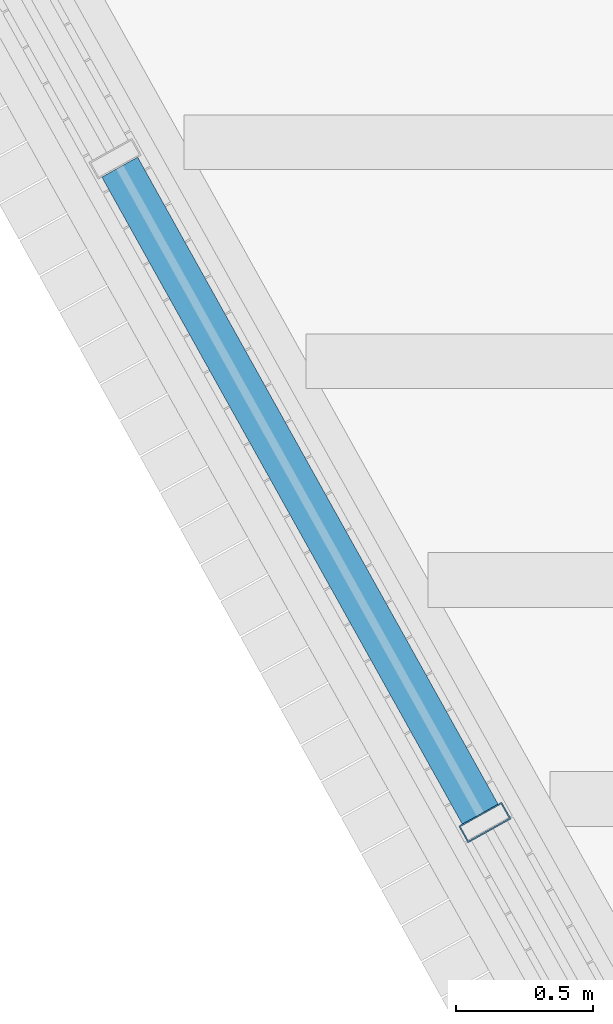
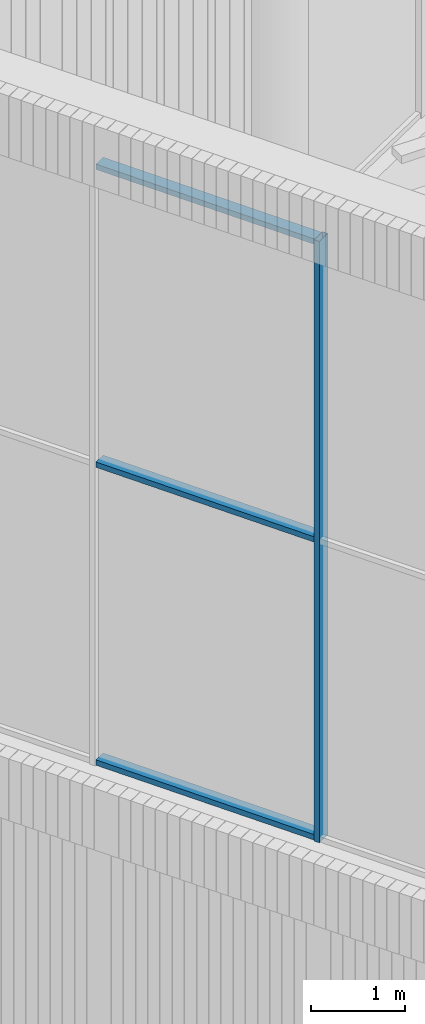
# One storey, part 15 of 117: 4 members, 1 element without a shape of its own.
"""IFC4 building model written with IfcOpenShell, lengths in metres."""

from ifc_helpers import new_model, si_unit, direction, frame, origin, origin_2d, place, context, subcontext, project, spatial, hollow_rectangle, extrude, material, layer, layer_set, material_profile, profile_set, type_object, element, aggregate, save


model = new_model("IFC4")

# Units and contexts
model_context = context("Model", 3, precision=1e-05, world=origin(), true_north=direction((0.0, 1.0)))
body_context = subcontext(model_context, "Body", "Model", "MODEL_VIEW")
ifc_project = project(units=[si_unit("LENGTHUNIT", "METRE"), si_unit("AREAUNIT", "SQUARE_METRE"), si_unit("VOLUMEUNIT", "CUBIC_METRE"), si_unit("PLANEANGLEUNIT", "RADIAN"), si_unit("MASSUNIT", "GRAM", prefix="KILO")], contexts=[model_context])

# Site, building, storey
site_placement = place(None, origin())
site = spatial("IfcSite", under=ifc_project, at=site_placement, CompositionType="ELEMENT")
building_placement = place(site_placement, origin())
building = spatial("IfcBuilding", under=site, at=building_placement, Name="Tarsis Ring Headquarters", CompositionType="ELEMENT")
storey_placement = place(building_placement, frame((0.0, 0.0, 403.60009765625)))
storey = spatial("IfcBuildingStorey", under=building, at=storey_placement, Name="L95", CompositionType="ELEMENT", Elevation=403.60009765625)

# Curtain wall, members
ifc_material_1 = material(Name="Aluminium curtain wall", Category="aluminium")
ifc_layer = layer(ifc_material_1, 0.179931640625)
ifc_layer_set = layer_set([ifc_layer], Name="Curtain wall crown glazing")
curtain_wall_type = type_object("IfcCurtainWallType", Name="Curtain wall crown glazing", PredefinedType="NOTDEFINED", material=ifc_layer_set)
curtain_wall_placement = place(storey_placement, origin())
curtain_wall = element("IfcCurtainWall", 1, at=curtain_wall_placement, inside=storey, type_object=curtain_wall_type, Name="Crown glazing U16", PredefinedType="NOTDEFINED")
ifc_material_2 = material(Name="Aluminium mullion", Category="aluminium")
ifc_material_profile_1 = material_profile(ifc_material_2, hollow_rectangle(XDim=0.179931640625, YDim=0.070068359375, WallThickness=0.0048828125, at=origin_2d()), Name="RHS 180x70x5")
ifc_profile_set_1 = profile_set([ifc_material_profile_1], Name="Aluminium mullion")
member_type_1 = type_object("IfcMemberType", Name="Crown glazing mullion RHS 180x70x5", PredefinedType="MULLION", material=ifc_profile_set_1)
member_1_placement = place(storey_placement, frame((-41.6669921875, -13.150390625, 14.39990234375), z_axis=(0.0, 0.0, 1.0), x_axis=(0.873602436001, 0.48664030229, 0.0)))
member_1 = element("IfcMember", 2, at=member_1_placement, type_object=member_type_1, Name="CW-C mullion 3", PredefinedType="MULLION", context=body_context, shape_type="SweptSolid", body=[
    extrude(hollow_rectangle(XDim=0.179931640625, YDim=0.070068359375, WallThickness=0.0048828125, at=origin_2d()), origin(), (0.0, 0.0, 1.0), 7.800048828125),
])
ifc_material_3 = material(Name="Aluminium transom", Category="aluminium")
ifc_material_profile_2 = material_profile(ifc_material_3, hollow_rectangle(XDim=0.14990234375, YDim=0.070068359375, WallThickness=0.0048828125, at=origin_2d()), Name="RHS 150x70x5")
ifc_profile_set_2 = profile_set([ifc_material_profile_2], Name="Aluminium transom")
member_type_2 = type_object("IfcMemberType", Name="Crown glazing transom RHS 150x70x5", PredefinedType="USERDEFINED", material=ifc_profile_set_2)
member_2_placement = place(storey_placement, frame((-43.00146484375, -10.7548828125, 14.434814453125), z_axis=(0.486630386149, -0.873607959715, 0.0), x_axis=(0.873607959715, 0.486630386149, 0.0)))
member_2 = element("IfcMember", 3, at=member_2_placement, type_object=member_type_2, Name="CW-C transom 2.1", ObjectType="TRANSOM", PredefinedType="USERDEFINED", context=body_context, shape_type="SweptSolid", body=[
    extrude(hollow_rectangle(XDim=0.14990234375, YDim=0.070068359375, WallThickness=0.0048828125, at=origin_2d()), origin(), (0.0, 0.0, 1.0), 2.70703125),
])
member_3_placement = place(storey_placement, frame((-43.00146484375, -10.7548828125, 18.2998046875), z_axis=(0.486630386149, -0.873607959715, 0.0), x_axis=(0.873607959715, 0.486630386149, 0.0)))
member_3 = element("IfcMember", 4, at=member_3_placement, type_object=member_type_2, Name="CW-C transom 2.2", ObjectType="TRANSOM", PredefinedType="USERDEFINED", context=body_context, shape_type="SweptSolid", body=[
    extrude(hollow_rectangle(XDim=0.14990234375, YDim=0.070068359375, WallThickness=0.0048828125, at=origin_2d()), origin(), (0.0, 0.0, 1.0), 2.70703125),
])
member_4_placement = place(storey_placement, frame((-43.00146484375, -10.7548828125, 22.164794921875), z_axis=(0.486630386149, -0.873607959715, 0.0), x_axis=(0.873607959715, 0.486630386149, 0.0)))
member_4 = element("IfcMember", 5, at=member_4_placement, type_object=member_type_2, Name="CW-C transom 2.3", ObjectType="TRANSOM", PredefinedType="USERDEFINED", context=body_context, shape_type="SweptSolid", body=[
    extrude(hollow_rectangle(XDim=0.14990234375, YDim=0.070068359375, WallThickness=0.0048828125, at=origin_2d()), origin(), (0.0, 0.0, 1.0), 2.70703125),
])
aggregate(curtain_wall, [member_1, member_2, member_3, member_4])

save(model, "model.ifc")
